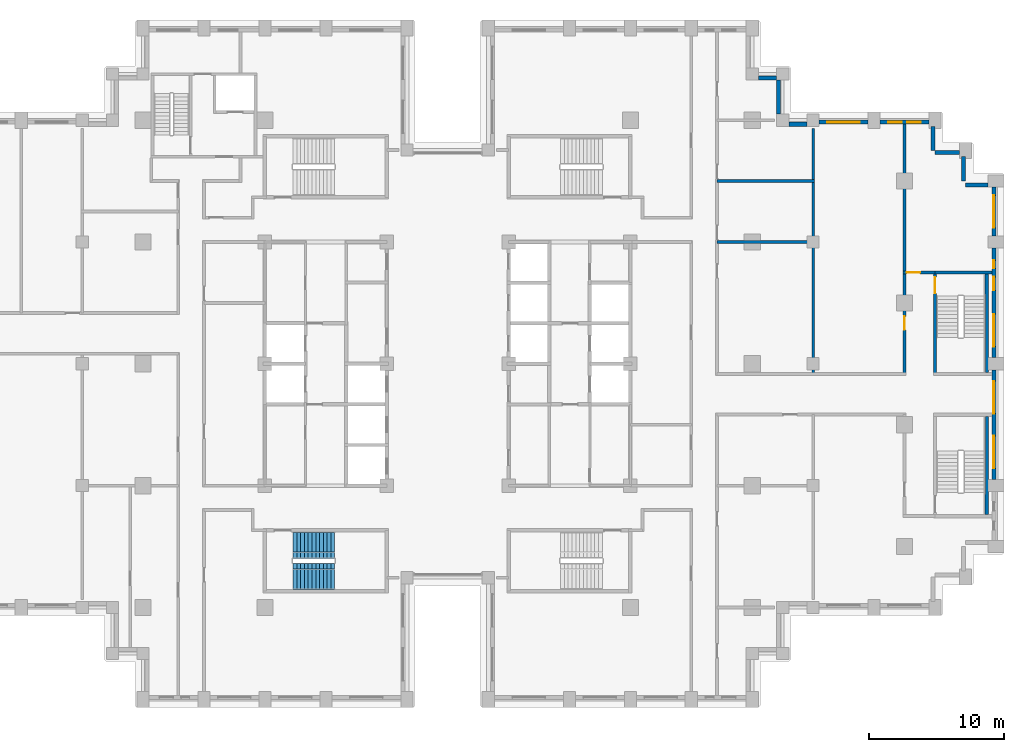
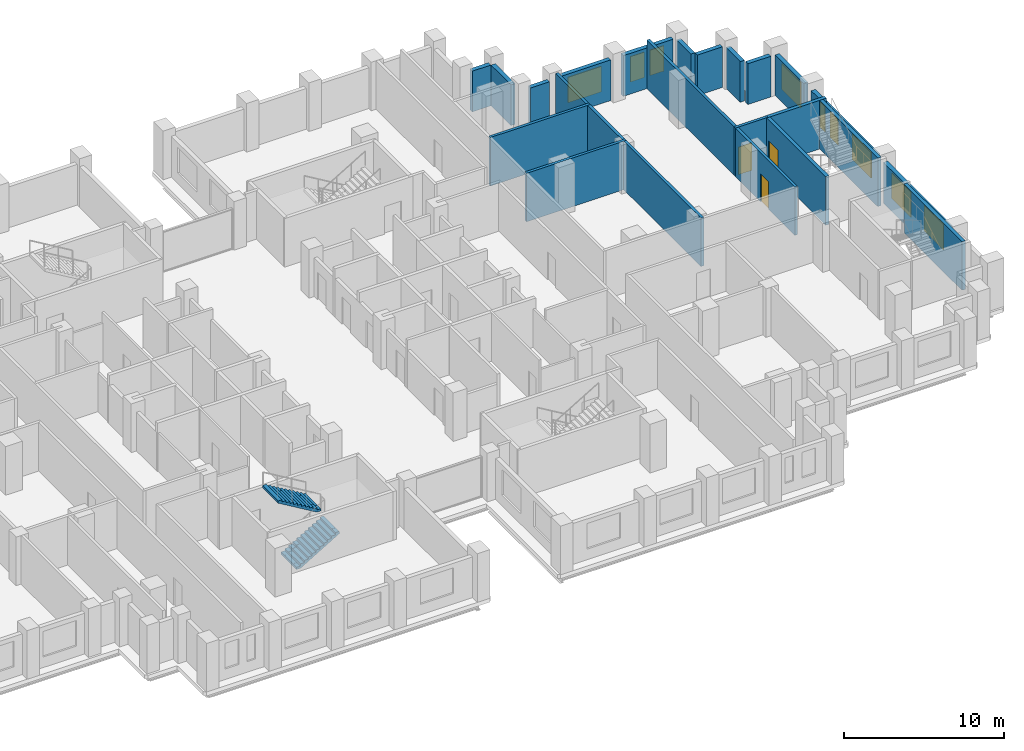
# One storey, part 12 of 15: 21 walls, 9 windows, 3 doors, 2 stair flights, 12 openings, 1 element without a shape of its own.
"""IFC4 building model written with IfcOpenShell, lengths in metres."""

from ifc_helpers import new_model, si_unit, direction, frame, frame_2d, origin, place, context, subcontext, project, spatial, polyline, rectangle, outline, extrude, material, layer, layer_set, type_object, element, fill, aggregate, save


model = new_model("IFC4")

# Units and contexts
model_context = context("Model", 3, precision=1e-05, world=origin(), true_north=direction((0.0, 1.0)))
body_context = subcontext(model_context, "Body", "Model", "MODEL_VIEW")
ifc_project = project(units=[si_unit("LENGTHUNIT", "METRE"), si_unit("AREAUNIT", "SQUARE_METRE"), si_unit("VOLUMEUNIT", "CUBIC_METRE"), si_unit("PLANEANGLEUNIT", "RADIAN"), si_unit("MASSUNIT", "GRAM", prefix="KILO")], contexts=[model_context])

# Site, building, storey
site_placement = place(None, origin())
site = spatial("IfcSite", under=ifc_project, at=site_placement, CompositionType="ELEMENT")
building_placement = place(site_placement, origin())
building = spatial("IfcBuilding", under=site, at=building_placement, Name="Corbelhall Arena Tower", CompositionType="ELEMENT")
storey_placement = place(building_placement, frame((0.0, 0.0, 100.0)))
storey = spatial("IfcBuildingStorey", under=building, at=storey_placement, Name="L17", CompositionType="ELEMENT", Elevation=100.0)

# Walls
ifc_material_1 = material(Name="Precast concrete C40/50 with granite facing", Category="masonry")
ifc_layer_1 = layer(ifc_material_1, 0.300048828125)
ifc_layer_set_1 = layer_set([ifc_layer_1], Name="EV-IW1 Infill panel 300")
wall_type_1 = type_object("IfcWallType", Name="EV-IW1 Infill panel 300", PredefinedType="SOLIDWALL", material=ifc_layer_set_1)
wall_1_placement = place(storey_placement, frame((39.89990234375, 13.199951171875, 0.0), z_axis=(0.0, 0.0, 1.0), x_axis=(-1.0, 0.0, 0.0)))
element("IfcWall", 1, at=wall_1_placement, inside=storey, type_object=wall_type_1, Name="Infill panel IW1", PredefinedType="SOLIDWALL", context=body_context, shape_type="SweptSolid", body=[
    extrude(rectangle(XDim=1.64990234375, YDim=0.300048828125, at=frame_2d((0.824951171875, 0.0))), origin(), (0.0, 0.0, 1.0), 3.10009765625),
])
for number, where, z_axis, x_axis, name in (
    (2, (38.10009765625, 15.300048828125, 0.0), (0.0, 0.0, 1.0), (0.0, -1.0, 0.0), "Infill panel IW1"),
    (3, (37.800048828125, 15.60009765625, 0.0), (0.0, 0.0, 1.0), (-1.0, 0.0, 0.0), "Infill panel IW1"),
    (4, (35.85009765625, 17.550048828125, 0.0), (0.0, 0.0, 1.0), (0.0, -1.0, 0.0), "Infill panel IW1"),
):
    element("IfcWall", number, at=place(storey_placement, frame(where, z_axis=z_axis, x_axis=x_axis)), inside=storey, type_object=wall_type_1, Name=name, PredefinedType="SOLIDWALL", context=body_context, shape_type="SweptSolid", body=[
        extrude(rectangle(XDim=1.800048828125, YDim=0.300048828125, at=frame_2d((0.89990234375, 0.0))), origin(), (0.0, 0.0, 1.0), 3.10009765625),
    ])

# Wall, openings, windows
wall_2_placement = place(storey_placement, frame((40.35009765625, -8.550048828125, 0.0), z_axis=(0.0, 0.0, 1.0), x_axis=(0.0, 1.0, 0.0)))
wall_2 = element("IfcWall", 5, at=wall_2_placement, inside=storey, type_object=wall_type_1, Name="Infill panel IW1", PredefinedType="SOLIDWALL", context=body_context, shape_type="SweptSolid", body=[
    extrude(rectangle(XDim=8.10009765625, YDim=0.300048828125, at=frame_2d((4.050048828125, 0.0))), origin(), (0.0, 0.0, 1.0), 3.10009765625),
])
opening_1_placement = place(wall_2_placement, frame((0.824951171875, 0.0, 0.800048828125)))
opening_1 = element("IfcOpeningElement", 6, at=opening_1_placement, cuts=wall_2, Name="Opening WN1", PredefinedType="OPENING", context=body_context, shape_type="SweptSolid", body=[
    extrude(rectangle(XDim=2.39990234375, YDim=1.949951171875, at=frame_2d((1.199951171875, 0.97509765625))), frame((0.0, 0.14990234375, 0.0), z_axis=(0.0, -1.0, 0.0), x_axis=(1.0, 0.0, 0.0)), (0.0, 0.0, 1.0), 0.300048828125),
])
opening_2_placement = place(wall_2_placement, frame((4.875, 0.0, 0.800048828125)))
opening_2 = element("IfcOpeningElement", 7, at=opening_2_placement, cuts=wall_2, Name="Opening WN1", PredefinedType="OPENING", context=body_context, shape_type="SweptSolid", body=[
    extrude(rectangle(XDim=2.39990234375, YDim=1.949951171875, at=frame_2d((1.199951171875, 0.97509765625))), frame((0.0, 0.14990234375, 0.0), z_axis=(0.0, -1.0, 0.0), x_axis=(1.0, 0.0, 0.0)), (0.0, 0.0, 1.0), 0.300048828125),
])
ifc_material_2 = material(Name="Aluminium black anodised", Category="aluminium")
window_type_1 = type_object("IfcWindowType", Name="EV-WN1 Office window", PartitioningType="SINGLE_PANEL", PredefinedType="WINDOW", material=ifc_material_2)
window_1_placement = place(opening_1_placement, origin())
window_1 = element("IfcWindow", 8, at=window_1_placement, inside=storey, type_object=window_type_1, Name="Window WN1", OverallHeight=1.949951171875, OverallWidth=2.39990234375, PartitioningType="SINGLE_PANEL", PredefinedType="WINDOW", context=body_context, shape_type="SweptSolid", body=[
    extrude(rectangle(XDim=2.39990234375, YDim=1.949951171875, at=frame_2d((1.199951171875, 0.97509765625))), frame((0.0, 0.030029296875, 0.0), z_axis=(0.0, -1.0, 0.0), x_axis=(1.0, 0.0, 0.0)), (0.0, 0.0, 1.0), 0.06005859375),
])
fill(opening_1, window_1)
window_2_placement = place(opening_2_placement, origin())
window_2 = element("IfcWindow", 9, at=window_2_placement, inside=storey, type_object=window_type_1, Name="Window WN1", OverallHeight=1.949951171875, OverallWidth=2.39990234375, PartitioningType="SINGLE_PANEL", PredefinedType="WINDOW", context=body_context, shape_type="SweptSolid", body=[
    extrude(rectangle(XDim=2.39990234375, YDim=1.949951171875, at=frame_2d((1.199951171875, 0.97509765625))), frame((0.0, 0.030029296875, 0.0), z_axis=(0.0, -1.0, 0.0), x_axis=(1.0, 0.0, 0.0)), (0.0, 0.0, 1.0), 0.06005859375),
])
fill(opening_2, window_2)

wall_3_placement = place(storey_placement, frame((40.35009765625, 0.449951171875, 0.0), z_axis=(0.0, 0.0, 1.0), x_axis=(0.0, 1.0, 0.0)))
wall_3 = element("IfcWall", 10, at=wall_3_placement, inside=storey, type_object=wall_type_1, Name="Infill panel IW1", PredefinedType="SOLIDWALL", context=body_context, shape_type="SweptSolid", body=[
    extrude(rectangle(XDim=8.10009765625, YDim=0.300048828125, at=frame_2d((4.050048828125, 0.0))), origin(), (0.0, 0.0, 1.0), 3.10009765625),
])
opening_3_placement = place(wall_3_placement, frame((0.824951171875, 0.0, 0.800048828125)))
opening_3 = element("IfcOpeningElement", 11, at=opening_3_placement, cuts=wall_3, Name="Opening WN1", PredefinedType="OPENING", context=body_context, shape_type="SweptSolid", body=[
    extrude(rectangle(XDim=2.39990234375, YDim=1.949951171875, at=frame_2d((1.199951171875, 0.97509765625))), frame((0.0, 0.14990234375, 0.0), z_axis=(0.0, -1.0, 0.0), x_axis=(1.0, 0.0, 0.0)), (0.0, 0.0, 1.0), 0.300048828125),
])
opening_4_placement = place(wall_3_placement, frame((4.97509765625, 0.0, 0.800048828125)))
opening_4 = element("IfcOpeningElement", 12, at=opening_4_placement, cuts=wall_3, Name="Opening WN6", PredefinedType="OPENING", context=body_context, shape_type="SweptSolid", body=[
    extrude(rectangle(XDim=1.0, YDim=1.949951171875, at=frame_2d((0.5, 0.97509765625))), frame((0.0, 0.14990234375, 0.0), z_axis=(0.0, -1.0, 0.0), x_axis=(1.0, 0.0, 0.0)), (0.0, 0.0, 1.0), 0.300048828125),
])
opening_5_placement = place(wall_3_placement, frame((6.60009765625, 0.0, 0.800048828125)))
opening_5 = element("IfcOpeningElement", 13, at=opening_5_placement, cuts=wall_3, Name="Opening WN5", PredefinedType="OPENING", context=body_context, shape_type="SweptSolid", body=[
    extrude(rectangle(XDim=0.60009765625, YDim=1.949951171875, at=frame_2d((0.300048828125, 0.97509765625))), frame((0.0, 0.14990234375, 0.0), z_axis=(0.0, -1.0, 0.0), x_axis=(1.0, 0.0, 0.0)), (0.0, 0.0, 1.0), 0.300048828125),
])
window_3_placement = place(opening_3_placement, origin())
window_3 = element("IfcWindow", 14, at=window_3_placement, inside=storey, type_object=window_type_1, Name="Window WN1", OverallHeight=1.949951171875, OverallWidth=2.39990234375, PartitioningType="SINGLE_PANEL", PredefinedType="WINDOW", context=body_context, shape_type="SweptSolid", body=[
    extrude(rectangle(XDim=2.39990234375, YDim=1.949951171875, at=frame_2d((1.199951171875, 0.97509765625))), frame((0.0, 0.030029296875, 0.0), z_axis=(0.0, -1.0, 0.0), x_axis=(1.0, 0.0, 0.0)), (0.0, 0.0, 1.0), 0.06005859375),
])
fill(opening_3, window_3)
window_type_2 = type_object("IfcWindowType", Name="EV-WN5 Office window 600", PartitioningType="SINGLE_PANEL", PredefinedType="WINDOW", material=ifc_material_2)
window_4_placement = place(opening_5_placement, origin())
window_4 = element("IfcWindow", 15, at=window_4_placement, inside=storey, type_object=window_type_2, Name="Window WN5", OverallHeight=1.949951171875, OverallWidth=0.60009765625, PartitioningType="SINGLE_PANEL", PredefinedType="WINDOW", context=body_context, shape_type="SweptSolid", body=[
    extrude(rectangle(XDim=0.60009765625, YDim=1.949951171875, at=frame_2d((0.300048828125, 0.97509765625))), frame((0.0, 0.030029296875, 0.0), z_axis=(0.0, -1.0, 0.0), x_axis=(1.0, 0.0, 0.0)), (0.0, 0.0, 1.0), 0.06005859375),
])
fill(opening_5, window_4)
window_type_3 = type_object("IfcWindowType", Name="EV-WN6 Office window 1000", PartitioningType="SINGLE_PANEL", PredefinedType="WINDOW", material=ifc_material_2)
window_5_placement = place(opening_4_placement, origin())
window_5 = element("IfcWindow", 16, at=window_5_placement, inside=storey, type_object=window_type_3, Name="Window WN6", OverallHeight=1.949951171875, OverallWidth=1.0, PartitioningType="SINGLE_PANEL", PredefinedType="WINDOW", context=body_context, shape_type="SweptSolid", body=[
    extrude(rectangle(XDim=1.0, YDim=1.949951171875, at=frame_2d((0.5, 0.97509765625))), frame((0.0, 0.030029296875, 0.0), z_axis=(0.0, -1.0, 0.0), x_axis=(1.0, 0.0, 0.0)), (0.0, 0.0, 1.0), 0.06005859375),
])
fill(opening_4, window_5)

# Wall, opening, window
wall_4_placement = place(storey_placement, frame((40.35009765625, 9.449951171875, 0.0), z_axis=(0.0, 0.0, 1.0), x_axis=(0.0, 1.0, 0.0)))
wall_4 = element("IfcWall", 17, at=wall_4_placement, inside=storey, type_object=wall_type_1, Name="Infill panel IW1", PredefinedType="SOLIDWALL", context=body_context, shape_type="SweptSolid", body=[
    extrude(rectangle(XDim=3.60009765625, YDim=0.300048828125, at=frame_2d((1.800048828125, 0.0))), origin(), (0.0, 0.0, 1.0), 3.10009765625),
])
opening_6_placement = place(wall_4_placement, frame((0.60009765625, 0.0, 0.800048828125)))
opening_6 = element("IfcOpeningElement", 18, at=opening_6_placement, cuts=wall_4, Name="Opening WN1", PredefinedType="OPENING", context=body_context, shape_type="SweptSolid", body=[
    extrude(rectangle(XDim=2.39990234375, YDim=1.949951171875, at=frame_2d((1.199951171875, 0.97509765625))), frame((0.0, 0.14990234375, 0.0), z_axis=(0.0, -1.0, 0.0), x_axis=(1.0, 0.0, 0.0)), (0.0, 0.0, 1.0), 0.300048828125),
])
window_6_placement = place(opening_6_placement, origin())
window_6 = element("IfcWindow", 19, at=window_6_placement, inside=storey, type_object=window_type_1, Name="Window WN1", OverallHeight=1.949951171875, OverallWidth=2.39990234375, PartitioningType="SINGLE_PANEL", PredefinedType="WINDOW", context=body_context, shape_type="SweptSolid", body=[
    extrude(rectangle(XDim=2.39990234375, YDim=1.949951171875, at=frame_2d((1.199951171875, 0.97509765625))), frame((0.0, 0.030029296875, 0.0), z_axis=(0.0, -1.0, 0.0), x_axis=(1.0, 0.0, 0.0)), (0.0, 0.0, 1.0), 0.06005859375),
])
fill(opening_6, window_6)

# Wall, openings, windows
wall_5_placement = place(storey_placement, frame((35.550048828125, 17.85009765625, 0.0), z_axis=(0.0, 0.0, 1.0), x_axis=(-1.0, 0.0, 0.0)))
wall_5 = element("IfcWall", 20, at=wall_5_placement, inside=storey, type_object=wall_type_1, Name="Infill panel IW1", PredefinedType="SOLIDWALL", context=body_context, shape_type="SweptSolid", body=[
    extrude(rectangle(XDim=3.60009765625, YDim=0.300048828125, at=frame_2d((1.800048828125, 0.0))), origin(), (0.0, 0.0, 1.0), 3.10009765625),
])
opening_7_placement = place(wall_5_placement, frame((0.60009765625, 0.0, 0.800048828125)))
opening_7 = element("IfcOpeningElement", 21, at=opening_7_placement, cuts=wall_5, Name="Opening WN6", PredefinedType="OPENING", context=body_context, shape_type="SweptSolid", body=[
    extrude(rectangle(XDim=1.0, YDim=1.949951171875, at=frame_2d((0.5, 0.97509765625))), frame((0.0, 0.14990234375, 0.0), z_axis=(0.0, -1.0, 0.0), x_axis=(1.0, 0.0, 0.0)), (0.0, 0.0, 1.0), 0.300048828125),
])
opening_8_placement = place(wall_5_placement, frame((2.0, 0.0, 0.800048828125)))
opening_8 = element("IfcOpeningElement", 22, at=opening_8_placement, cuts=wall_5, Name="Opening WN6", PredefinedType="OPENING", context=body_context, shape_type="SweptSolid", body=[
    extrude(rectangle(XDim=1.0, YDim=1.949951171875, at=frame_2d((0.5, 0.97509765625))), frame((0.0, 0.14990234375, 0.0), z_axis=(0.0, -1.0, 0.0), x_axis=(1.0, 0.0, 0.0)), (0.0, 0.0, 1.0), 0.300048828125),
])
window_7_placement = place(opening_7_placement, origin())
window_7 = element("IfcWindow", 23, at=window_7_placement, inside=storey, type_object=window_type_3, Name="Window WN6", OverallHeight=1.949951171875, OverallWidth=1.0, PartitioningType="SINGLE_PANEL", PredefinedType="WINDOW", context=body_context, shape_type="SweptSolid", body=[
    extrude(rectangle(XDim=1.0, YDim=1.949951171875, at=frame_2d((0.5, 0.97509765625))), frame((0.0, 0.030029296875, 0.0), z_axis=(0.0, -1.0, 0.0), x_axis=(1.0, 0.0, 0.0)), (0.0, 0.0, 1.0), 0.06005859375),
])
fill(opening_7, window_7)
window_8_placement = place(opening_8_placement, origin())
window_8 = element("IfcWindow", 24, at=window_8_placement, inside=storey, type_object=window_type_3, Name="Window WN6", OverallHeight=1.949951171875, OverallWidth=1.0, PartitioningType="SINGLE_PANEL", PredefinedType="WINDOW", context=body_context, shape_type="SweptSolid", body=[
    extrude(rectangle(XDim=1.0, YDim=1.949951171875, at=frame_2d((0.5, 0.97509765625))), frame((0.0, 0.030029296875, 0.0), z_axis=(0.0, -1.0, 0.0), x_axis=(1.0, 0.0, 0.0)), (0.0, 0.0, 1.0), 0.06005859375),
])
fill(opening_8, window_8)

# Wall, opening, window
wall_6_placement = place(storey_placement, frame((31.050048828125, 17.85009765625, 0.0), z_axis=(0.0, 0.0, 1.0), x_axis=(-1.0, 0.0, 0.0)))
wall_6 = element("IfcWall", 25, at=wall_6_placement, inside=storey, type_object=wall_type_1, Name="Infill panel IW1", PredefinedType="SOLIDWALL", context=body_context, shape_type="SweptSolid", body=[
    extrude(rectangle(XDim=3.60009765625, YDim=0.300048828125, at=frame_2d((1.800048828125, 0.0))), origin(), (0.0, 0.0, 1.0), 3.10009765625),
])
opening_9_placement = place(wall_6_placement, frame((0.60009765625, 0.0, 0.800048828125)))
opening_9 = element("IfcOpeningElement", 26, at=opening_9_placement, cuts=wall_6, Name="Opening WN1", PredefinedType="OPENING", context=body_context, shape_type="SweptSolid", body=[
    extrude(rectangle(XDim=2.39990234375, YDim=1.949951171875, at=frame_2d((1.199951171875, 0.97509765625))), frame((0.0, 0.14990234375, 0.0), z_axis=(0.0, -1.0, 0.0), x_axis=(1.0, 0.0, 0.0)), (0.0, 0.0, 1.0), 0.300048828125),
])
window_9_placement = place(opening_9_placement, origin())
window_9 = element("IfcWindow", 27, at=window_9_placement, inside=storey, type_object=window_type_1, Name="Window WN1", OverallHeight=1.949951171875, OverallWidth=2.39990234375, PartitioningType="SINGLE_PANEL", PredefinedType="WINDOW", context=body_context, shape_type="SweptSolid", body=[
    extrude(rectangle(XDim=2.39990234375, YDim=1.949951171875, at=frame_2d((1.199951171875, 0.97509765625))), frame((0.0, 0.030029296875, 0.0), z_axis=(0.0, -1.0, 0.0), x_axis=(1.0, 0.0, 0.0)), (0.0, 0.0, 1.0), 0.06005859375),
])
fill(opening_9, window_9)

# Walls
wall_7_placement = place(storey_placement, frame((26.550048828125, 17.699951171875, 0.0), z_axis=(0.0, 0.0, 1.0), x_axis=(-1.0, 0.0, 0.0)))
element("IfcWall", 28, at=wall_7_placement, inside=storey, type_object=wall_type_1, Name="Infill panel IW1", PredefinedType="SOLIDWALL", context=body_context, shape_type="SweptSolid", body=[
    extrude(rectangle(XDim=1.35009765625, YDim=0.300048828125, at=frame_2d((0.675048828125, 0.0))), origin(), (0.0, 0.0, 1.0), 3.10009765625),
])
wall_8_placement = place(storey_placement, frame((24.449951171875, 18.449951171875, 0.0), z_axis=(0.0, 0.0, 1.0), x_axis=(0.0, 1.0, 0.0)))
element("IfcWall", 29, at=wall_8_placement, inside=storey, type_object=wall_type_1, Name="Infill panel IW1", PredefinedType="SOLIDWALL", context=body_context, shape_type="SweptSolid", body=[
    extrude(rectangle(XDim=2.5, YDim=0.300048828125, at=frame_2d((1.25, 0.0))), origin(), (0.0, 0.0, 1.0), 3.10009765625),
])
wall_9_placement = place(storey_placement, frame((24.300048828125, 21.10009765625, 0.0), z_axis=(0.0, 0.0, 1.0), x_axis=(-1.0, 0.0, 0.0)))
element("IfcWall", 30, at=wall_9_placement, inside=storey, type_object=wall_type_1, Name="Infill panel IW1", PredefinedType="SOLIDWALL", context=body_context, shape_type="SweptSolid", body=[
    extrude(rectangle(XDim=1.35009765625, YDim=0.300048828125, at=frame_2d((0.675048828125, 0.0))), origin(), (0.0, 0.0, 1.0), 3.10009765625),
])
ifc_material_3 = material(Name="Gypsum board on steel stud, acoustic", Category="steel")
ifc_layer_2 = layer(ifc_material_3, 0.199951171875)
ifc_layer_set_2 = layer_set([ifc_layer_2], Name="IN-W-DM200")
wall_type_2 = type_object("IfcWallType", Name="IN-W-DM200", PredefinedType="PARTITIONING", material=ifc_layer_set_2)
for number, where, z_axis, x_axis, name in (
    (31, (19.89990234375, 9.0, 0.0), (0.0, 0.0, 1.0), (1.0, 0.0, 0.0), "Partition 052"),
    (32, (19.89990234375, 13.5, 0.0), (0.0, 0.0, 1.0), (1.0, 0.0, 0.0), "Partition 054"),
):
    element("IfcWall", number, at=place(storey_placement, frame(where, z_axis=z_axis, x_axis=x_axis)), inside=storey, type_object=wall_type_2, Name=name, PredefinedType="PARTITIONING", context=body_context, shape_type="SweptSolid", body=[
        extrude(rectangle(XDim=7.2001953125, YDim=0.199951171875, at=frame_2d((3.60009765625, 0.0))), origin(), (0.0, 0.0, 1.0), 3.699951171875),
    ])
wall_10_placement = place(storey_placement, frame((27.0, 17.39990234375, 0.0), z_axis=(0.0, 0.0, 1.0), x_axis=(0.0, -1.0, 0.0)))
element("IfcWall", 33, at=wall_10_placement, inside=storey, type_object=wall_type_2, Name="Partition 057", PredefinedType="PARTITIONING", context=body_context, shape_type="SweptSolid", body=[
    extrude(rectangle(XDim=18.14990234375, YDim=0.199951171875, at=frame_2d((9.074951171875, 0.0))), origin(), (0.0, 0.0, 1.0), 3.699951171875),
])

# Wall, opening, door
wall_11_placement = place(storey_placement, frame((33.64990234375, 6.75, 0.0), z_axis=(0.0, 0.0, 1.0), x_axis=(1.0, 0.0, 0.0)))
wall_11 = element("IfcWall", 34, at=wall_11_placement, inside=storey, type_object=wall_type_2, Name="Partition 059", PredefinedType="PARTITIONING", context=body_context, shape_type="SweptSolid", body=[
    extrude(rectangle(XDim=2.35009765625, YDim=0.199951171875, at=frame_2d((1.175048828125, 0.0))), origin(), (0.0, 0.0, 1.0), 3.699951171875),
])
opening_10_placement = place(wall_11_placement, frame((0.25, 0.0, 0.0)))
opening_10 = element("IfcOpeningElement", 35, at=opening_10_placement, cuts=wall_11, Name="Opening 03046", PredefinedType="OPENING", context=body_context, shape_type="SweptSolid", body=[
    extrude(rectangle(XDim=1.0, YDim=2.10009765625, at=frame_2d((0.5, 1.050048828125))), frame((0.0, 0.10009765625, 0.0), z_axis=(0.0, -1.0, 0.0), x_axis=(1.0, 0.0, 0.0)), (0.0, 0.0, 1.0), 0.199951171875),
])
ifc_material_4 = material(Name="Steel door set", Category="steel")
door_type_1 = type_object("IfcDoorType", Name="IN-D-SW100", OperationType="NOTDEFINED", PredefinedType="DOOR", material=ifc_material_4)
door_1_placement = place(opening_10_placement, origin())
door_1 = element("IfcDoor", 36, at=door_1_placement, inside=storey, type_object=door_type_1, Name="Door 046", OperationType="SINGLE_SWING_LEFT", OverallHeight=2.10009765625, OverallWidth=1.0, PredefinedType="DOOR", context=body_context, shape_type="SweptSolid", body=[
    extrude(rectangle(XDim=1.0, YDim=2.10009765625, at=frame_2d((0.5, 1.050048828125))), frame((0.0, 0.02490234375, 0.0), z_axis=(0.0, -1.0, 0.0), x_axis=(1.0, 0.0, 0.0)), (0.0, 0.0, 1.0), 0.050048828125),
])
fill(opening_10, door_1)

wall_12_placement = place(storey_placement, frame((33.75, -0.75, 0.0), z_axis=(0.0, 0.0, 1.0), x_axis=(0.0, 1.0, 0.0)))
wall_12 = element("IfcWall", 37, at=wall_12_placement, inside=storey, type_object=wall_type_2, Name="Partition 061", PredefinedType="PARTITIONING", context=body_context, shape_type="SweptSolid", body=[
    extrude(rectangle(XDim=18.449951171875, YDim=0.199951171875, at=frame_2d((9.22509765625, 0.0))), origin(), (0.0, 0.0, 1.0), 3.699951171875),
])
opening_11_placement = place(wall_12_placement, frame((3.25, 0.0, 0.0)))
opening_11 = element("IfcOpeningElement", 38, at=opening_11_placement, cuts=wall_12, Name="Opening 03045", PredefinedType="OPENING", context=body_context, shape_type="SweptSolid", body=[
    extrude(rectangle(XDim=1.0, YDim=2.10009765625, at=frame_2d((0.5, 1.050048828125))), frame((0.0, 0.10009765625, 0.0), z_axis=(0.0, -1.0, 0.0), x_axis=(1.0, 0.0, 0.0)), (0.0, 0.0, 1.0), 0.199951171875),
])
door_2_placement = place(opening_11_placement, origin())
door_2 = element("IfcDoor", 39, at=door_2_placement, inside=storey, type_object=door_type_1, Name="Door 045", OperationType="SINGLE_SWING_RIGHT", OverallHeight=2.10009765625, OverallWidth=1.0, PredefinedType="DOOR", context=body_context, shape_type="SweptSolid", body=[
    extrude(rectangle(XDim=1.0, YDim=2.10009765625, at=frame_2d((0.5, 1.050048828125))), frame((0.0, 0.02490234375, 0.0), z_axis=(0.0, -1.0, 0.0), x_axis=(1.0, 0.0, 0.0)), (0.0, 0.0, 1.0), 0.050048828125),
])
fill(opening_11, door_2)

ifc_material_5 = material(Name="Concrete C40/50", Category="concrete")
ifc_layer_3 = layer(ifc_material_5, 0.25)
ifc_layer_set_3 = layer_set([ifc_layer_3], Name="IN-W-ST250")
wall_type_3 = type_object("IfcWallType", Name="IN-W-ST250", PredefinedType="SOLIDWALL", material=ifc_layer_set_3)
wall_13_placement = place(storey_placement, frame((36.0, -0.75, 0.0), z_axis=(0.0, 0.0, 1.0), x_axis=(0.0, 1.0, 0.0)))
wall_13 = element("IfcWall", 40, at=wall_13_placement, inside=storey, type_object=wall_type_3, Name="Shaft wall 119", PredefinedType="SOLIDWALL", context=body_context, shape_type="SweptSolid", body=[
    extrude(rectangle(XDim=7.625, YDim=0.25, at=frame_2d((3.8125, 0.0))), origin(), (0.0, 0.0, 1.0), 3.699951171875),
])
opening_12_placement = place(wall_13_placement, frame((5.949951171875, 0.0, 0.0)))
opening_12 = element("IfcOpeningElement", 41, at=opening_12_placement, cuts=wall_13, Name="Opening 03020", PredefinedType="OPENING", context=body_context, shape_type="SweptSolid", body=[
    extrude(rectangle(XDim=1.199951171875, YDim=2.10009765625, at=frame_2d((0.60009765625, 1.050048828125))), frame((0.0, 0.125, 0.0), z_axis=(0.0, -1.0, 0.0), x_axis=(1.0, 0.0, 0.0)), (0.0, 0.0, 1.0), 0.25),
])
door_type_2 = type_object("IfcDoorType", Name="IN-D-ST120", OperationType="NOTDEFINED", PredefinedType="DOOR", material=ifc_material_4)
door_3_placement = place(opening_12_placement, origin())
door_3 = element("IfcDoor", 42, at=door_3_placement, inside=storey, type_object=door_type_2, Name="Door 020", OperationType="SINGLE_SWING_LEFT", OverallHeight=2.10009765625, OverallWidth=1.199951171875, PredefinedType="DOOR", context=body_context, shape_type="SweptSolid", body=[
    extrude(rectangle(XDim=1.199951171875, YDim=2.10009765625, at=frame_2d((0.60009765625, 1.050048828125))), frame((0.0, 0.02490234375, 0.0), z_axis=(0.0, -1.0, 0.0), x_axis=(1.0, 0.0, 0.0)), (0.0, 0.0, 1.0), 0.050048828125),
])
fill(opening_12, door_3)

# Walls
wall_14_placement = place(storey_placement, frame((36.0, 6.75, 0.0), z_axis=(0.0, 0.0, 1.0), x_axis=(1.0, 0.0, 0.0)))
element("IfcWall", 43, at=wall_14_placement, inside=storey, type_object=wall_type_3, Name="Shaft wall 120", PredefinedType="SOLIDWALL", context=body_context, shape_type="SweptSolid", body=[
    extrude(rectangle(XDim=4.199951171875, YDim=0.25, at=frame_2d((2.10009765625, 0.0))), origin(), (0.0, 0.0, 1.0), 3.699951171875),
])
for number, where, z_axis, x_axis, name in (
    (44, (39.824951171875, -11.125, 0.0), (0.0, 0.0, 1.0), (0.0, 1.0, 0.0), "Shaft wall SD1 facade side"),
    (45, (39.824951171875, -0.625, 0.0), (0.0, 0.0, 1.0), (0.0, 1.0, 0.0), "Shaft wall SD2 facade side"),
):
    element("IfcWall", number, at=place(storey_placement, frame(where, z_axis=z_axis, x_axis=x_axis)), inside=storey, type_object=wall_type_3, Name=name, PredefinedType="SOLIDWALL", context=body_context, shape_type="SweptSolid", body=[
        extrude(rectangle(XDim=7.25, YDim=0.25, at=frame_2d((3.625, 0.0))), origin(), (0.0, 0.0, 1.0), 3.699951171875),
    ])

# Stair, stair flights
stair_type = type_object("IfcStairType", Name="IN-ST-TOWER", PredefinedType="HALF_TURN_STAIR", material=ifc_material_5)
stair_placement = place(storey_placement, origin())
stair = element("IfcStair", 46, at=stair_placement, inside=storey, type_object=stair_type, Name="L17 Exit stair ST2", PredefinedType="HALF_TURN_STAIR")
stair_flight_type = type_object("IfcStairFlightType", Name="IN-SFL-RC", PredefinedType="STRAIGHT", material=ifc_material_5)
stair_flight_1_placement = place(storey_placement, frame((-11.425048828125, -15.699951171875, 0.0), z_axis=(0.0, 0.0, 1.0), x_axis=(1.0, 0.0, 0.0)))
stair_flight_1 = element("IfcStairFlight", 47, at=stair_flight_1_placement, type_object=stair_flight_type, Name="ST2 flight 1", NumberOfRisers=12, NumberOfTreads=11, PredefinedType="STRAIGHT", RiserHeight=0.166666667, TreadLength=0.28, context=body_context, shape_type="SweptSolid", body=[
    extrude(outline(polyline([(0.0, 0.0), (0.0, 0.166748046875), (0.280029296875, 0.166748046875), (0.280029296875, 0.333251953125), (0.56005859375, 0.333251953125), (0.56005859375, 0.5), (0.840087890625, 0.5), (0.840087890625, 0.666748046875), (1.1201171875, 0.666748046875), (1.1201171875, 0.833251953125), (1.39990234375, 0.833251953125), (1.39990234375, 1.0), (1.679931640625, 1.0), (1.679931640625, 1.166748046875), (1.9599609375, 1.166748046875), (1.9599609375, 1.333251953125), (2.239990234375, 1.333251953125), (2.239990234375, 1.5), (2.52001953125, 1.5), (2.52001953125, 1.666748046875), (2.800048828125, 1.666748046875), (2.800048828125, 1.833251953125), (3.080078125, 1.833251953125), (3.080078125, 2.0), (3.080078125, 1.658935546875), (0.29296875, 0.0), (0.0, 0.0)])), frame((0.0, 0.97509765625, 0.0), z_axis=(0.0, -1.0, 0.0), x_axis=(1.0, 0.0, 0.0)), (0.0, 0.0, 1.0), 0.449951171875),
    extrude(outline(polyline([(0.0, 0.0), (0.0, 0.166748046875), (0.280029296875, 0.166748046875), (0.280029296875, 0.333251953125), (0.56005859375, 0.333251953125), (0.56005859375, 0.5), (0.840087890625, 0.5), (0.840087890625, 0.666748046875), (1.1201171875, 0.666748046875), (1.1201171875, 0.833251953125), (1.39990234375, 0.833251953125), (1.39990234375, 1.0), (1.679931640625, 1.0), (1.679931640625, 1.166748046875), (1.9599609375, 1.166748046875), (1.9599609375, 1.333251953125), (2.239990234375, 1.333251953125), (2.239990234375, 1.5), (2.52001953125, 1.5), (2.52001953125, 1.666748046875), (2.800048828125, 1.666748046875), (2.800048828125, 1.833251953125), (3.080078125, 1.833251953125), (3.080078125, 2.0), (3.080078125, 1.658935546875), (0.29296875, 0.0), (0.0, 0.0)])), frame((0.0, 0.52099609375, 0.0), z_axis=(0.0, -1.0, 0.0), x_axis=(1.0, 0.0, 0.0)), (0.0, 0.0, 1.0), 1.0419921875),
    extrude(outline(polyline([(0.0, 0.0), (0.0, 0.166748046875), (0.280029296875, 0.166748046875), (0.280029296875, 0.333251953125), (0.56005859375, 0.333251953125), (0.56005859375, 0.5), (0.840087890625, 0.5), (0.840087890625, 0.666748046875), (1.1201171875, 0.666748046875), (1.1201171875, 0.833251953125), (1.39990234375, 0.833251953125), (1.39990234375, 1.0), (1.679931640625, 1.0), (1.679931640625, 1.166748046875), (1.9599609375, 1.166748046875), (1.9599609375, 1.333251953125), (2.239990234375, 1.333251953125), (2.239990234375, 1.5), (2.52001953125, 1.5), (2.52001953125, 1.666748046875), (2.800048828125, 1.666748046875), (2.800048828125, 1.833251953125), (3.080078125, 1.833251953125), (3.080078125, 2.0), (3.080078125, 1.658935546875), (0.29296875, 0.0), (0.0, 0.0)])), frame((0.0, -0.52490234375, 0.0), z_axis=(0.0, -1.0, 0.0), x_axis=(1.0, 0.0, 0.0)), (0.0, 0.0, 1.0), 0.449951171875),
])
stair_flight_2_placement = place(storey_placement, frame((-8.344970703125, -13.39990234375, 2.0), z_axis=(0.0, 0.0, 1.0), x_axis=(-1.0, 0.0, 0.0)))
stair_flight_2 = element("IfcStairFlight", 48, at=stair_flight_2_placement, type_object=stair_flight_type, Name="ST2 flight 2", NumberOfRisers=12, NumberOfTreads=11, PredefinedType="STRAIGHT", RiserHeight=0.166666667, TreadLength=0.28, context=body_context, shape_type="SweptSolid", body=[
    extrude(outline(polyline([(0.0, 0.0), (0.0, 0.166748046875), (0.280029296875, 0.166748046875), (0.280029296875, 0.333251953125), (0.56005859375, 0.333251953125), (0.56005859375, 0.5), (0.840087890625, 0.5), (0.840087890625, 0.666748046875), (1.1201171875, 0.666748046875), (1.1201171875, 0.833251953125), (1.39990234375, 0.833251953125), (1.39990234375, 1.0), (1.679931640625, 1.0), (1.679931640625, 1.166748046875), (1.9599609375, 1.166748046875), (1.9599609375, 1.333251953125), (2.239990234375, 1.333251953125), (2.239990234375, 1.5), (2.52001953125, 1.5), (2.52001953125, 1.666748046875), (2.800048828125, 1.666748046875), (2.800048828125, 1.833251953125), (3.080078125, 1.833251953125), (3.080078125, 2.0), (3.080078125, 1.658935546875), (0.29296875, 0.0), (0.0, 0.0)])), frame((0.0, 0.97509765625, 0.0), z_axis=(0.0, -1.0, 0.0), x_axis=(1.0, 0.0, 0.0)), (0.0, 0.0, 1.0), 0.449951171875),
    extrude(outline(polyline([(0.0, 0.0), (0.0, 0.166748046875), (0.280029296875, 0.166748046875), (0.280029296875, 0.333251953125), (0.56005859375, 0.333251953125), (0.56005859375, 0.5), (0.840087890625, 0.5), (0.840087890625, 0.666748046875), (1.1201171875, 0.666748046875), (1.1201171875, 0.833251953125), (1.39990234375, 0.833251953125), (1.39990234375, 1.0), (1.679931640625, 1.0), (1.679931640625, 1.166748046875), (1.9599609375, 1.166748046875), (1.9599609375, 1.333251953125), (2.239990234375, 1.333251953125), (2.239990234375, 1.5), (2.52001953125, 1.5), (2.52001953125, 1.666748046875), (2.800048828125, 1.666748046875), (2.800048828125, 1.833251953125), (3.080078125, 1.833251953125), (3.080078125, 2.0), (3.080078125, 1.658935546875), (0.29296875, 0.0), (0.0, 0.0)])), frame((0.0, 0.52099609375, 0.0), z_axis=(0.0, -1.0, 0.0), x_axis=(1.0, 0.0, 0.0)), (0.0, 0.0, 1.0), 1.0419921875),
    extrude(outline(polyline([(0.0, 0.0), (0.0, 0.166748046875), (0.280029296875, 0.166748046875), (0.280029296875, 0.333251953125), (0.56005859375, 0.333251953125), (0.56005859375, 0.5), (0.840087890625, 0.5), (0.840087890625, 0.666748046875), (1.1201171875, 0.666748046875), (1.1201171875, 0.833251953125), (1.39990234375, 0.833251953125), (1.39990234375, 1.0), (1.679931640625, 1.0), (1.679931640625, 1.166748046875), (1.9599609375, 1.166748046875), (1.9599609375, 1.333251953125), (2.239990234375, 1.333251953125), (2.239990234375, 1.5), (2.52001953125, 1.5), (2.52001953125, 1.666748046875), (2.800048828125, 1.666748046875), (2.800048828125, 1.833251953125), (3.080078125, 1.833251953125), (3.080078125, 2.0), (3.080078125, 1.658935546875), (0.29296875, 0.0), (0.0, 0.0)])), frame((0.0, -0.52490234375, 0.0), z_axis=(0.0, -1.0, 0.0), x_axis=(1.0, 0.0, 0.0)), (0.0, 0.0, 1.0), 0.449951171875),
])
aggregate(stair, [stair_flight_1, stair_flight_2])

save(model, "model.ifc")
